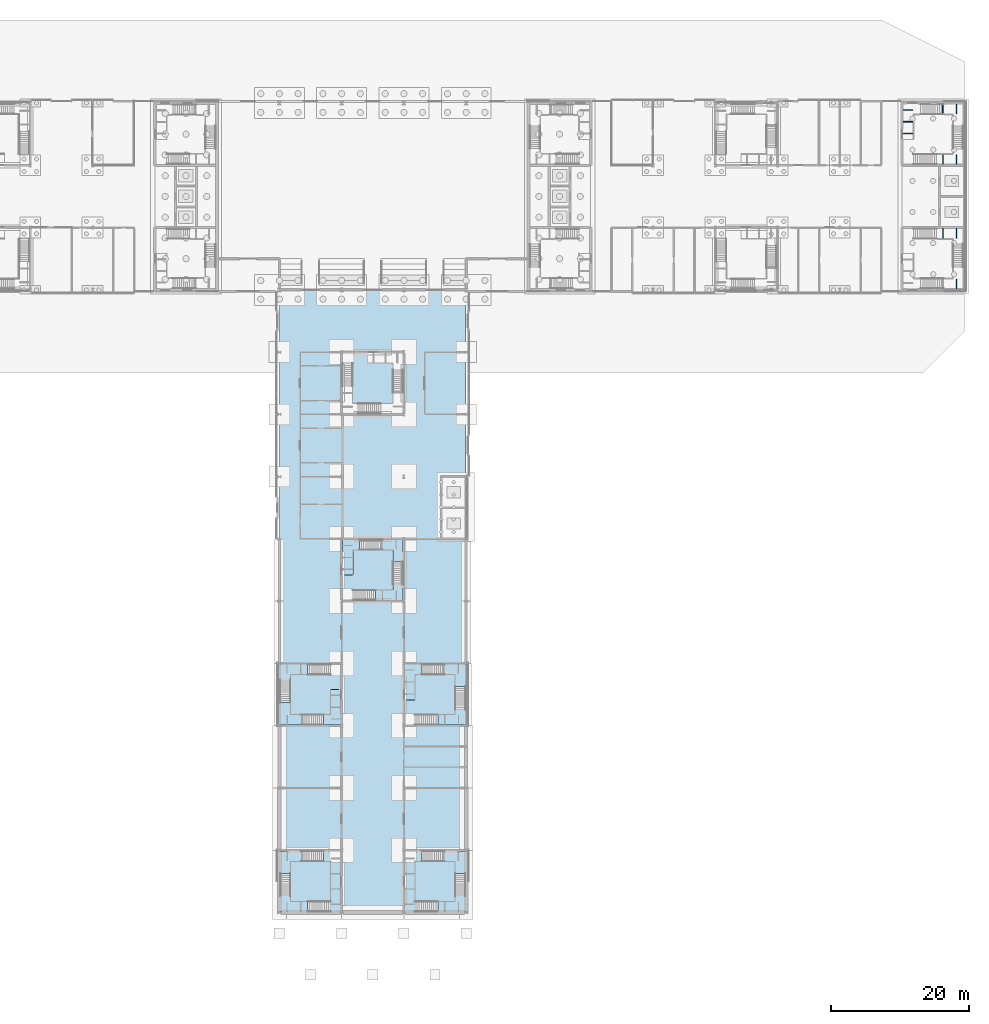
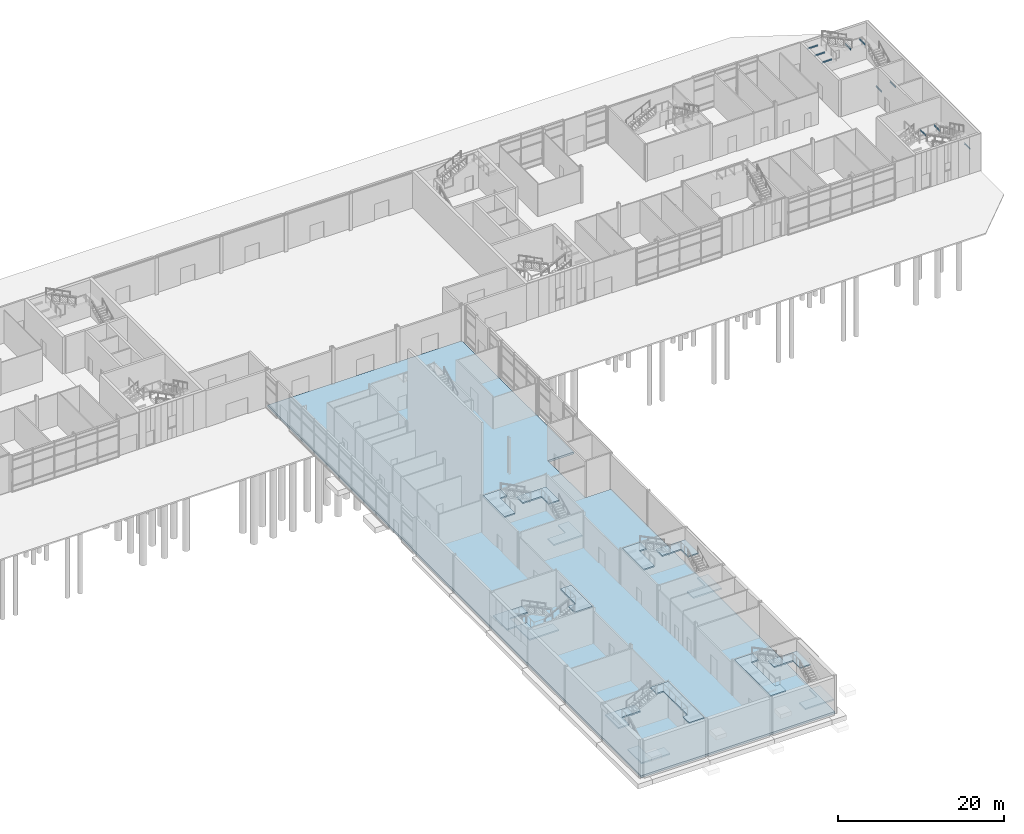
# One storey, part 20 of 45: 16 slabs, 10 beams, 5 elements without a shape of their own.
"""IFC4 building model written with IfcOpenShell, lengths in metres."""

from ifc_helpers import new_model, si_unit, direction, frame, origin, origin_2d, place, context, subcontext, project, spatial, polyline, i_section, outline, extrude, material, layer, layer_set, material_profile, profile_set, type_object, element, aggregate, save


model = new_model("IFC4")

# Units and contexts
model_context = context("Model", 3, precision=1e-05, world=origin(), true_north=direction((0.0, 1.0)))
body_context = subcontext(model_context, "Body", "Model", "MODEL_VIEW")
ifc_project = project(units=[si_unit("LENGTHUNIT", "METRE"), si_unit("AREAUNIT", "SQUARE_METRE"), si_unit("VOLUMEUNIT", "CUBIC_METRE"), si_unit("PLANEANGLEUNIT", "RADIAN"), si_unit("MASSUNIT", "GRAM", prefix="KILO")], contexts=[model_context])

# Site, building, storey
site_placement = place(None, origin())
site = spatial("IfcSite", under=ifc_project, at=site_placement, CompositionType="ELEMENT")
building_placement = place(site_placement, origin())
building = spatial("IfcBuilding", under=site, at=building_placement, Name="Azimuth Sports and Learning Centre", CompositionType="ELEMENT")
storey_placement = place(building_placement, origin())
storey = spatial("IfcBuildingStorey", under=building, at=storey_placement, Name="L00", CompositionType="ELEMENT", Elevation=0.0)

# Beams
ifc_material_1 = material(Name="Steel S355", Category="steel")
ifc_material_profile = material_profile(ifc_material_1, i_section(OverallWidth=0.10009765625, OverallDepth=0.199951171875, WebThickness=0.005615234375, FlangeThickness=0.008544921875, FilletRadius=0.011962890625, at=origin_2d()), Name="IPE 200")
ifc_profile_set = profile_set([ifc_material_profile], Name="Steel S355")
beam_type = type_object("IfcBeamType", Name="Beam IPE 200", PredefinedType="BEAM", material=ifc_profile_set)
for number, where, z_axis, x_axis, name in (
    (1, (167.929443359375, 98.875, 1.5), (0.0, -1.0, 0.0), (1.0, 0.0, 0.0), "Landing bracket EW1 L00 781"),
    (2, (169.869873046875, 98.875, 1.5), (0.0, -1.0, 0.0), (1.0, 0.0, 0.0), "Landing bracket EW1 L00 782"),
):
    element("IfcBeam", number, at=place(storey_placement, frame(where, z_axis=z_axis, x_axis=x_axis)), inside=storey, type_object=beam_type, Name=name, PredefinedType="BEAM", context=body_context, shape_type="SweptSolid", body=[
        extrude(i_section(OverallWidth=0.10009765625, OverallDepth=0.199951171875, WebThickness=0.005615234375, FlangeThickness=0.008544921875, FilletRadius=0.011962890625, at=origin_2d()), origin(), (0.0, 0.0, 1.0), 1.409912109375),
    ])
beam_placement = place(storey_placement, frame((169.8525390625, 90.14990234375, 3.300048828125), z_axis=(0.0, 1.0, 0.0), x_axis=(-1.0, 0.0, 0.0)))
element("IfcBeam", 3, at=beam_placement, inside=storey, type_object=beam_type, Name="Landing bracket EW1 L00 784", PredefinedType="BEAM", context=body_context, shape_type="SweptSolid", body=[
    extrude(i_section(OverallWidth=0.10009765625, OverallDepth=0.199951171875, WebThickness=0.005615234375, FlangeThickness=0.008544921875, FilletRadius=0.011962890625, at=origin_2d()), origin(), (0.0, 0.0, 1.0), 1.41015625),
])
for number, where, z_axis, x_axis, name in (
    (4, (167.929443359375, 108.125, 1.5), (0.0, 1.0, 0.0), (-1.0, 0.0, 0.0), "Landing bracket EW2 L00 815"),
    (5, (169.869873046875, 108.125, 1.5), (0.0, 1.0, 0.0), (-1.0, 0.0, 0.0), "Landing bracket EW2 L00 816"),
):
    element("IfcBeam", number, at=place(storey_placement, frame(where, z_axis=z_axis, x_axis=x_axis)), inside=storey, type_object=beam_type, Name=name, PredefinedType="BEAM", context=body_context, shape_type="SweptSolid", body=[
        extrude(i_section(OverallWidth=0.10009765625, OverallDepth=0.199951171875, WebThickness=0.005615234375, FlangeThickness=0.008544921875, FilletRadius=0.011962890625, at=origin_2d()), origin(), (0.0, 0.0, 1.0), 1.409912109375),
    ])
for number, where, z_axis, x_axis, name in (
    (6, (167.87744140625, 116.85009765625, 3.300048828125), (0.0, -1.0, 0.0), (1.0, 0.0, 0.0), "Landing bracket EW2 L00 817"),
    (7, (169.8525390625, 116.85009765625, 3.300048828125), (0.0, -1.0, 0.0), (1.0, 0.0, 0.0), "Landing bracket EW2 L00 818"),
    (8, (162.14990234375, 112.598388671875, 5.10009765625), (1.0, 0.0, 0.0), (0.0, 1.0, 0.0), "Landing bracket EW2 L00 819"),
    (9, (162.14990234375, 114.294921875, 5.10009765625), (1.0, 0.0, 0.0), (0.0, 1.0, 0.0), "Landing bracket EW2 L00 820"),
    (10, (162.14990234375, 115.99169921875, 5.10009765625), (1.0, 0.0, 0.0), (0.0, 1.0, 0.0), "Landing bracket EW2 L00 821"),
):
    element("IfcBeam", number, at=place(storey_placement, frame(where, z_axis=z_axis, x_axis=x_axis)), inside=storey, type_object=beam_type, Name=name, PredefinedType="BEAM", context=body_context, shape_type="SweptSolid", body=[
        extrude(i_section(OverallWidth=0.10009765625, OverallDepth=0.199951171875, WebThickness=0.005615234375, FlangeThickness=0.008544921875, FilletRadius=0.011962890625, at=origin_2d()), origin(), (0.0, 0.0, 1.0), 1.41015625),
    ])

# Stair, slabs
ifc_material_2 = material(Name="Concrete C32/40", Category="concrete")
stair_type = type_object("IfcStairType", Name="Square-well stair stem cell 5400 storey", PredefinedType="THREE_QUARTER_TURN_STAIR", material=ifc_material_2)
stair_1_placement = place(storey_placement, origin())
stair_1 = element("IfcStair", 11, at=stair_1_placement, inside=storey, type_object=stair_type, Name="Stair ST1 L00-L01", PredefinedType="THREE_QUARTER_TURN_STAIR")
ifc_material_3 = material(Name="Concrete C32/40", Category="concrete")
ifc_layer_1 = layer(ifc_material_3, 0.199951171875)
ifc_layer_set_1 = layer_set([ifc_layer_1], Name="Concrete C32/40")
slab_type_1 = type_object("IfcSlabType", Name="Concrete stair landing", PredefinedType="LANDING", material=ifc_layer_set_1)
slab_1_placement = place(storey_placement, frame((0.0, 0.0, 1.60009765625)))
slab_1 = element("IfcSlab", 12, at=slab_1_placement, type_object=slab_type_1, Name="Stair ST1 L00 landing 1", PredefinedType="LANDING", context=body_context, shape_type="SweptSolid", body=[
    extrude(outline(polyline([(73.610107421875, 1.610107421875), (73.610107421875, 3.4599609375), (72.110107421875, 3.4599609375), (72.110107421875, 0.110107421875), (76.0908203125, 0.110107421875), (76.0908203125, 1.610107421875), (73.610107421875, 1.610107421875)])), origin(), (0.0, 0.0, 1.0), 0.199951171875),
])
slab_2_placement = place(storey_placement, frame((0.0, 0.0, 3.39990234375)))
slab_2 = element("IfcSlab", 13, at=slab_2_placement, type_object=slab_type_1, Name="Stair ST1 L00 landing 2", PredefinedType="LANDING", context=body_context, shape_type="SweptSolid", body=[
    extrude(outline(polyline([(73.610107421875, 7.389892578125), (76.2099609375, 7.389892578125), (76.2099609375, 8.889892578125), (72.110107421875, 8.889892578125), (72.110107421875, 5.6591796875), (73.610107421875, 5.6591796875), (73.610107421875, 7.389892578125)])), origin(), (0.0, 0.0, 1.0), 0.2001953125),
])
slab_3_placement = place(storey_placement, frame((0.0, 0.0, 5.199951171875)))
slab_3 = element("IfcSlab", 14, at=slab_3_placement, type_object=slab_type_1, Name="Stair ST1 L00 landing 3", PredefinedType="LANDING", context=body_context, shape_type="SweptSolid", body=[
    extrude(outline(polyline([(79.389892578125, 7.389892578125), (79.389892578125, 1.610107421875), (78.75, 1.610107421875), (78.75, 0.110107421875), (80.889892578125, 0.110107421875), (80.889892578125, 8.889892578125), (78.4091796875, 8.889892578125), (78.4091796875, 7.389892578125), (79.389892578125, 7.389892578125)])), origin(), (0.0, 0.0, 1.0), 0.199951171875),
])
aggregate(stair_1, [slab_1, slab_2, slab_3])

stair_2_placement = place(storey_placement, origin())
stair_2 = element("IfcStair", 15, at=stair_2_placement, inside=storey, type_object=stair_type, Name="Stair ST2 L00-L01", PredefinedType="THREE_QUARTER_TURN_STAIR")
slab_4_placement = place(storey_placement, frame((0.0, 0.0, 1.60009765625)))
slab_4 = element("IfcSlab", 16, at=slab_4_placement, type_object=slab_type_1, Name="Stair ST2 L00 landing 1", PredefinedType="LANDING", context=body_context, shape_type="SweptSolid", body=[
    extrude(outline(polyline([(97.389892578125, 1.610107421875), (94.9091796875, 1.610107421875), (94.9091796875, 0.110107421875), (98.889892578125, 0.110107421875), (98.889892578125, 3.4599609375), (97.389892578125, 3.4599609375), (97.389892578125, 1.610107421875)])), origin(), (0.0, 0.0, 1.0), 0.199951171875),
])
slab_5_placement = place(storey_placement, frame((0.0, 0.0, 3.39990234375)))
slab_5 = element("IfcSlab", 17, at=slab_5_placement, type_object=slab_type_1, Name="Stair ST2 L00 landing 2", PredefinedType="LANDING", context=body_context, shape_type="SweptSolid", body=[
    extrude(outline(polyline([(97.389892578125, 7.389892578125), (97.389892578125, 5.6591796875), (98.889892578125, 5.6591796875), (98.889892578125, 8.889892578125), (94.7900390625, 8.889892578125), (94.7900390625, 7.389892578125), (97.389892578125, 7.389892578125)])), origin(), (0.0, 0.0, 1.0), 0.2001953125),
])
slab_6_placement = place(storey_placement, frame((0.0, 0.0, 5.199951171875)))
slab_6 = element("IfcSlab", 18, at=slab_6_placement, type_object=slab_type_1, Name="Stair ST2 L00 landing 3", PredefinedType="LANDING", context=body_context, shape_type="SweptSolid", body=[
    extrude(outline(polyline([(91.610107421875, 7.389892578125), (92.5908203125, 7.389892578125), (92.5908203125, 8.889892578125), (90.110107421875, 8.889892578125), (90.110107421875, 0.110107421875), (92.25, 0.110107421875), (92.25, 1.610107421875), (91.610107421875, 1.610107421875), (91.610107421875, 7.389892578125)])), origin(), (0.0, 0.0, 1.0), 0.199951171875),
])
aggregate(stair_2, [slab_4, slab_5, slab_6])

stair_3_placement = place(storey_placement, origin())
stair_3 = element("IfcStair", 19, at=stair_3_placement, inside=storey, type_object=stair_type, Name="Stair ST3 L00-L01", PredefinedType="THREE_QUARTER_TURN_STAIR")
slab_7_placement = place(storey_placement, frame((0.0, 0.0, 1.60009765625)))
slab_7 = element("IfcSlab", 20, at=slab_7_placement, type_object=slab_type_1, Name="Stair ST3 L00 landing 1", PredefinedType="LANDING", context=body_context, shape_type="SweptSolid", body=[
    extrude(outline(polyline([(73.610107421875, 34.389892578125), (76.0908203125, 34.389892578125), (76.0908203125, 35.889892578125), (72.110107421875, 35.889892578125), (72.110107421875, 32.5400390625), (73.610107421875, 32.5400390625), (73.610107421875, 34.389892578125)])), origin(), (0.0, 0.0, 1.0), 0.199951171875),
])
slab_8_placement = place(storey_placement, frame((0.0, 0.0, 3.39990234375)))
slab_8 = element("IfcSlab", 21, at=slab_8_placement, type_object=slab_type_1, Name="Stair ST3 L00 landing 2", PredefinedType="LANDING", context=body_context, shape_type="SweptSolid", body=[
    extrude(outline(polyline([(73.610107421875, 28.610107421875), (73.610107421875, 30.3408203125), (72.110107421875, 30.3408203125), (72.110107421875, 27.110107421875), (76.2099609375, 27.110107421875), (76.2099609375, 28.610107421875), (73.610107421875, 28.610107421875)])), origin(), (0.0, 0.0, 1.0), 0.2001953125),
])
slab_9_placement = place(storey_placement, frame((0.0, 0.0, 5.199951171875)))
slab_9 = element("IfcSlab", 22, at=slab_9_placement, type_object=slab_type_1, Name="Stair ST3 L00 landing 3", PredefinedType="LANDING", context=body_context, shape_type="SweptSolid", body=[
    extrude(outline(polyline([(79.389892578125, 28.610107421875), (78.4091796875, 28.610107421875), (78.4091796875, 27.110107421875), (80.889892578125, 27.110107421875), (80.889892578125, 32.25), (79.389892578125, 32.25), (79.389892578125, 28.610107421875)])), origin(), (0.0, 0.0, 1.0), 0.199951171875),
])
aggregate(stair_3, [slab_7, slab_8, slab_9])

stair_4_placement = place(storey_placement, origin())
stair_4 = element("IfcStair", 23, at=stair_4_placement, inside=storey, type_object=stair_type, Name="Stair ST4 L00-L01", PredefinedType="THREE_QUARTER_TURN_STAIR")
slab_10_placement = place(storey_placement, frame((0.0, 0.0, 1.60009765625)))
slab_10 = element("IfcSlab", 24, at=slab_10_placement, type_object=slab_type_1, Name="Stair ST4 L00 landing 1", PredefinedType="LANDING", context=body_context, shape_type="SweptSolid", body=[
    extrude(outline(polyline([(97.389892578125, 28.610107421875), (94.9091796875, 28.610107421875), (94.9091796875, 27.110107421875), (98.889892578125, 27.110107421875), (98.889892578125, 30.4599609375), (97.389892578125, 30.4599609375), (97.389892578125, 28.610107421875)])), origin(), (0.0, 0.0, 1.0), 0.199951171875),
])
slab_11_placement = place(storey_placement, frame((0.0, 0.0, 3.39990234375)))
slab_11 = element("IfcSlab", 25, at=slab_11_placement, type_object=slab_type_1, Name="Stair ST4 L00 landing 2", PredefinedType="LANDING", context=body_context, shape_type="SweptSolid", body=[
    extrude(outline(polyline([(97.389892578125, 34.389892578125), (97.389892578125, 32.6591796875), (98.889892578125, 32.6591796875), (98.889892578125, 35.889892578125), (94.7900390625, 35.889892578125), (94.7900390625, 34.389892578125), (97.389892578125, 34.389892578125)])), origin(), (0.0, 0.0, 1.0), 0.2001953125),
])
slab_12_placement = place(storey_placement, frame((0.0, 0.0, 5.199951171875)))
slab_12 = element("IfcSlab", 26, at=slab_12_placement, type_object=slab_type_1, Name="Stair ST4 L00 landing 3", PredefinedType="LANDING", context=body_context, shape_type="SweptSolid", body=[
    extrude(outline(polyline([(91.610107421875, 34.389892578125), (92.5908203125, 34.389892578125), (92.5908203125, 35.889892578125), (90.110107421875, 35.889892578125), (90.110107421875, 30.75), (91.610107421875, 30.75), (91.610107421875, 34.389892578125)])), origin(), (0.0, 0.0, 1.0), 0.199951171875),
])
aggregate(stair_4, [slab_10, slab_11, slab_12])

stair_5_placement = place(storey_placement, origin())
stair_5 = element("IfcStair", 27, at=stair_5_placement, inside=storey, type_object=stair_type, Name="Stair STC L00-L01", PredefinedType="THREE_QUARTER_TURN_STAIR")
slab_13_placement = place(storey_placement, frame((0.0, 0.0, 1.60009765625)))
slab_13 = element("IfcSlab", 28, at=slab_13_placement, type_object=slab_type_1, Name="Stair STC L00 landing 1", PredefinedType="LANDING", context=body_context, shape_type="SweptSolid", body=[
    extrude(outline(polyline([(88.389892578125, 46.610107421875), (85.9091796875, 46.610107421875), (85.9091796875, 45.110107421875), (89.889892578125, 45.110107421875), (89.889892578125, 48.4599609375), (88.389892578125, 48.4599609375), (88.389892578125, 46.610107421875)])), origin(), (0.0, 0.0, 1.0), 0.199951171875),
])
slab_14_placement = place(storey_placement, frame((0.0, 0.0, 3.39990234375)))
slab_14 = element("IfcSlab", 29, at=slab_14_placement, type_object=slab_type_1, Name="Stair STC L00 landing 2", PredefinedType="LANDING", context=body_context, shape_type="SweptSolid", body=[
    extrude(outline(polyline([(88.389892578125, 52.389892578125), (88.389892578125, 50.6591796875), (89.889892578125, 50.6591796875), (89.889892578125, 53.889892578125), (85.7900390625, 53.889892578125), (85.7900390625, 52.389892578125), (88.389892578125, 52.389892578125)])), origin(), (0.0, 0.0, 1.0), 0.2001953125),
])
slab_15_placement = place(storey_placement, frame((0.0, 0.0, 5.199951171875)))
slab_15 = element("IfcSlab", 30, at=slab_15_placement, type_object=slab_type_1, Name="Stair STC L00 landing 3", PredefinedType="LANDING", context=body_context, shape_type="SweptSolid", body=[
    extrude(outline(polyline([(82.610107421875, 52.389892578125), (83.5908203125, 52.389892578125), (83.5908203125, 53.889892578125), (81.110107421875, 53.889892578125), (81.110107421875, 48.75), (82.610107421875, 48.75), (82.610107421875, 52.389892578125)])), origin(), (0.0, 0.0, 1.0), 0.199951171875),
])
aggregate(stair_5, [slab_13, slab_14, slab_15])

# Slab
ifc_material_4 = material(Name="Concrete C30/37", Category="concrete")
ifc_layer_2 = layer(ifc_material_4, 0.300048828125)
ifc_layer_set_2 = layer_set([ifc_layer_2], Name="Concrete C30/37")
slab_type_2 = type_object("IfcSlabType", Name="Stem ground slab 300", PredefinedType="BASESLAB", material=ifc_layer_set_2)
slab_16_placement = place(storey_placement, frame((0.0, 0.0, -0.300048828125)))
element("IfcSlab", 31, at=slab_16_placement, inside=storey, type_object=slab_type_2, Name="Slab STEM L00", PredefinedType="BASESLAB", context=body_context, shape_type="SweptSolid", body=[
    extrude(outline(polyline([(72.0, 0.0), (99.0, 0.0), (99.0, 54.0), (95.39990234375, 54.0), (95.39990234375, 63.0), (99.0, 63.0), (99.0, 90.0), (72.0, 90.0), (72.0, 0.0)])), origin(), (0.0, 0.0, 1.0), 0.300048828125),
])

save(model, "model.ifc")
